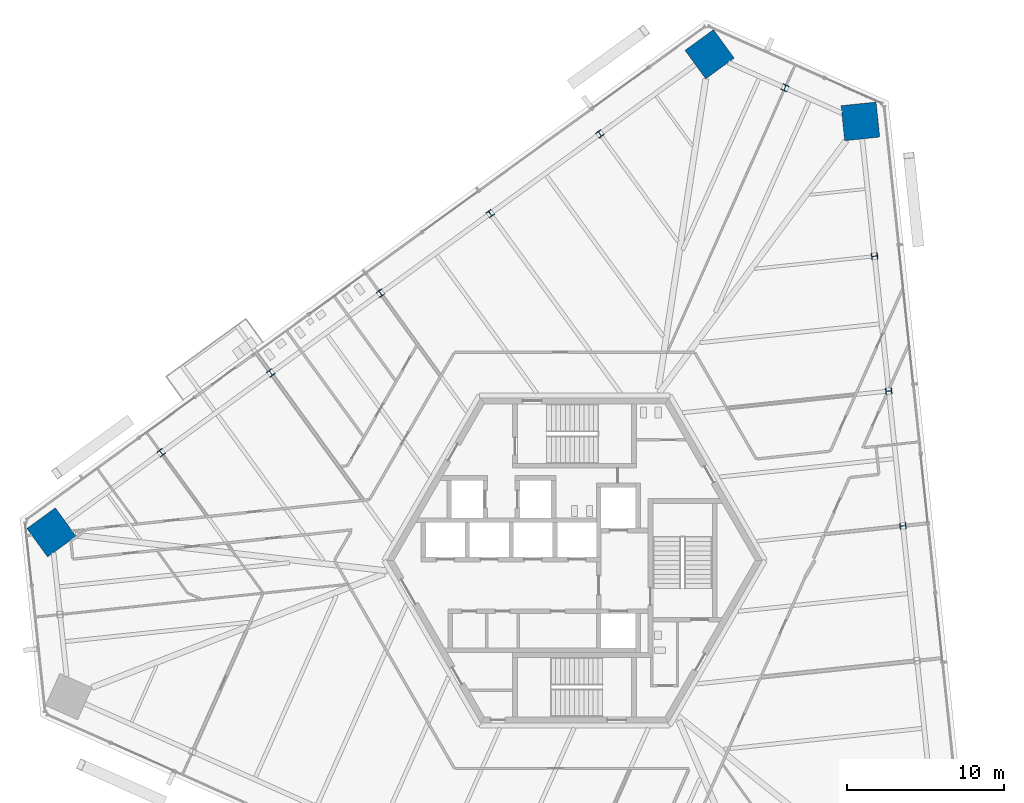
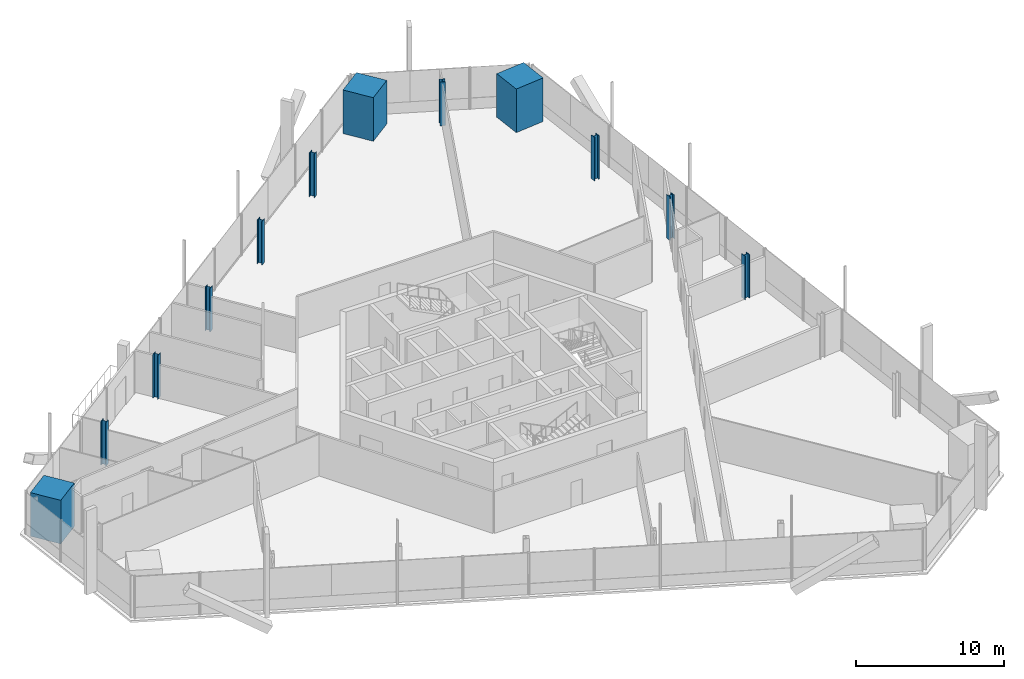
# One storey, part 2 of 21: 12 columns.
"""IFC4 building model written with IfcOpenShell, lengths in metres."""

from ifc_helpers import new_model, si_unit, direction, frame, origin, origin_2d, place, context, subcontext, project, spatial, rectangle, i_section, extrude, source, transform, mapped, material, material_profile, profile_set, type_object, element, save


model = new_model("IFC4")

# Units and contexts
model_context = context("Model", 3, precision=1e-05, world=origin(), true_north=direction((0.0, 1.0)))
body_context = subcontext(model_context, "Body", "Model", "MODEL_VIEW")
ifc_project = project(units=[si_unit("LENGTHUNIT", "METRE"), si_unit("AREAUNIT", "SQUARE_METRE"), si_unit("VOLUMEUNIT", "CUBIC_METRE"), si_unit("PLANEANGLEUNIT", "RADIAN"), si_unit("MASSUNIT", "GRAM", prefix="KILO")], contexts=[model_context])

# Site, building, storey
site_placement = place(None, origin())
site = spatial("IfcSite", under=ifc_project, at=site_placement, CompositionType="ELEMENT")
building_placement = place(site_placement, origin())
building = spatial("IfcBuilding", under=site, at=building_placement, Name="Triune Harvest Tower", CompositionType="ELEMENT")
storey_placement = place(building_placement, frame((0.0, 0.0, 87.300048828125)))
storey = spatial("IfcBuildingStorey", under=building, at=storey_placement, Name="L21", CompositionType="ELEMENT", Elevation=87.300048828125)

# Columns
ifc_material_1 = material(Name="Concrete 70 MPa", Category="concrete")
ifc_material_profile_1 = material_profile(ifc_material_1, rectangle(XDim=2.25, YDim=2.25, at=origin_2d()), Name="Composite 2250x2250")
ifc_profile_set_1 = profile_set([ifc_material_profile_1], Name="Concrete 70 MPa")
column_type_1 = type_object("IfcColumnType", Name="MC-2 Mega column Composite 2250x2250", PredefinedType="COLUMN", material=ifc_profile_set_1)
shared_shape_1 = source(origin(), body_context, "Body", "SweptSolid", [
    extrude(rectangle(XDim=2.25, YDim=2.25, at=origin_2d()), origin(), (0.0, 0.0, 1.0), 3.599853515625),
])
for number, where, z_axis, x_axis, name in (
    (1, (18.2607421875, 28.049072265625, 0.0), (0.0, 0.0, 1.0), (-0.104526727499, 0.994522077803, 0.0), "col/L21/M6"),
    (2, (8.625732421875, 32.3388671875, 0.0), (0.0, 0.0, 1.0), (-0.809016994375, -0.587785252292, 0.0), "col/L21/M8"),
    (3, (-33.42138671875, 1.789794921875, 0.0), (0.0, 0.0, 1.0), (-0.809016994375, -0.587785252292, 0.0), "col/L21/M14"),
):
    element("IfcColumn", number, at=place(storey_placement, frame(where, z_axis=z_axis, x_axis=x_axis)), inside=storey, type_object=column_type_1, Name=name, PredefinedType="COLUMN", context=body_context, shape_type="MappedRepresentation", body=[
        mapped(shared_shape_1, transform((0.0, 0.0, 0.0), scale=1.0)),
    ])
ifc_material_2 = material(Name="Steel ASTM A992 Gr 50", Category="steel")
ifc_material_profile_2 = material_profile(ifc_material_2, i_section(OverallWidth=0.398681640625, OverallDepth=0.393798828125, WebThickness=0.022705078125, FlangeThickness=0.03662109375, at=origin_2d()), Name="W14x193")
ifc_profile_set_2 = profile_set([ifc_material_profile_2], Name="Steel ASTM A992 Gr 50")
column_type_2 = type_object("IfcColumnType", Name="PC-2 Perimeter column W14x193", PredefinedType="COLUMN", material=ifc_profile_set_2)
shared_shape_2 = source(origin(), body_context, "Body", "SweptSolid", [
    extrude(i_section(OverallWidth=0.398681640625, OverallDepth=0.393798828125, WebThickness=0.022705078125, FlangeThickness=0.03662109375, at=origin_2d()), origin(), (0.0, 0.0, 1.0), 3.599853515625),
])
for number, where, z_axis, x_axis, name in (
    (4, (20.97705078125, 2.204833984375, 0.0), (0.0, 0.0, 1.0), (-0.104526727499, 0.994522077803, 0.0), "col/L21/P3"),
    (5, (20.071533203125, 10.819580078125, 0.0), (0.0, 0.0, 1.0), (-0.104526727499, 0.994522077803, 0.0), "col/L21/P4"),
    (6, (19.166015625, 19.434326171875, 0.0), (0.0, 0.0, 1.0), (-0.104526727499, 0.994522077803, 0.0), "col/L21/P5"),
    (7, (13.443115234375, 30.194091796875, 0.0), (0.0, 0.0, 1.0), (-0.913546877416, 0.406733454198, 0.0), "col/L21/P7"),
    (8, (1.617919921875, 27.247314453125, 0.0), (0.0, 0.0, 1.0), (-0.809016994375, -0.587785252292, 0.0), "col/L21/P9"),
    (9, (-5.389892578125, 22.15576171875, 0.0), (0.0, 0.0, 1.0), (-0.809016994375, -0.587785252292, 0.0), "col/L21/P10"),
    (10, (-12.39794921875, 17.064208984375, 0.0), (0.0, 0.0, 1.0), (-0.809016994375, -0.587785252292, 0.0), "col/L21/P11"),
    (11, (-19.40576171875, 11.97265625, 0.0), (0.0, 0.0, 1.0), (-0.809016994375, -0.587785252292, 0.0), "col/L21/P12"),
    (12, (-26.41357421875, 6.881103515625, 0.0), (0.0, 0.0, 1.0), (-0.809016994375, -0.587785252292, 0.0), "col/L21/P13"),
):
    element("IfcColumn", number, at=place(storey_placement, frame(where, z_axis=z_axis, x_axis=x_axis)), inside=storey, type_object=column_type_2, Name=name, PredefinedType="COLUMN", context=body_context, shape_type="MappedRepresentation", body=[
        mapped(shared_shape_2, transform((0.0, 0.0, 0.0), scale=1.0)),
    ])

save(model, "model.ifc")
